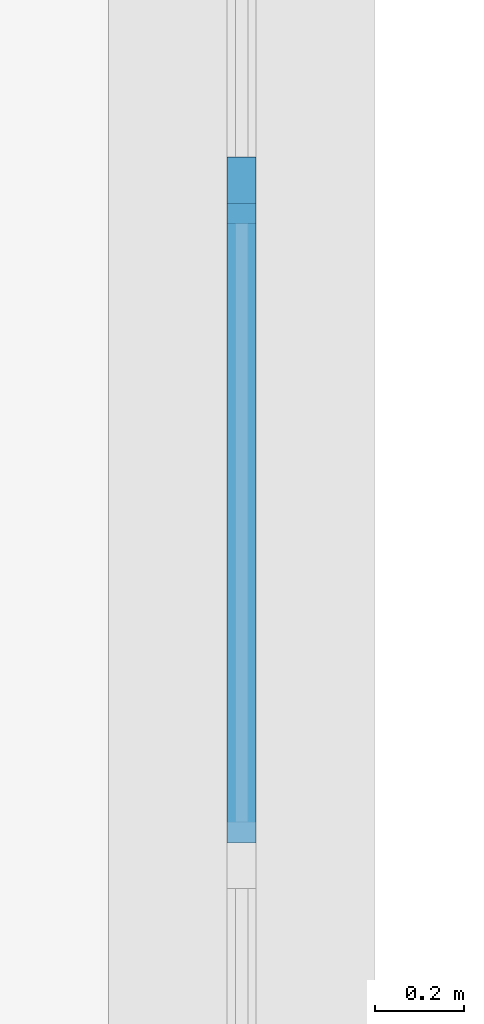
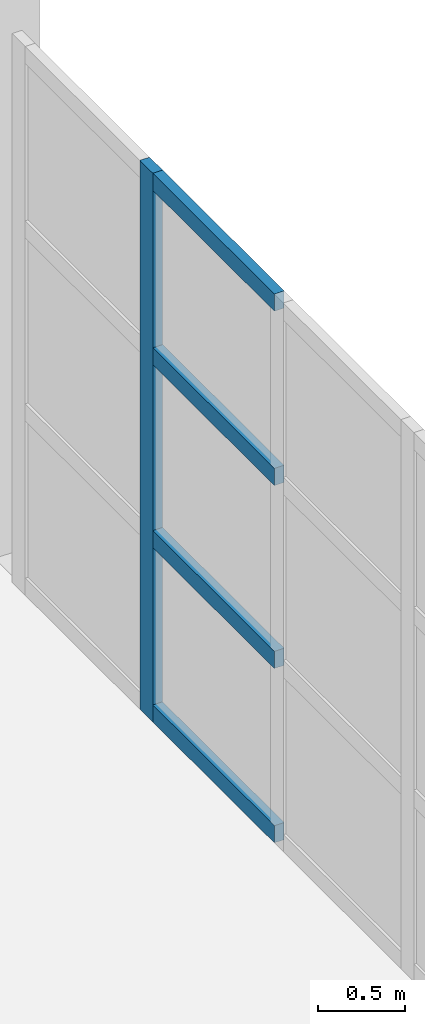
# One storey, part 118 of 285: 5 members, 1 element without a shape of its own.
"""IFC4 building model written with IfcOpenShell, lengths in metres."""

from ifc_helpers import new_model, si_unit, direction, frame, origin, origin_2d, place, context, subcontext, project, spatial, rectangle, extrude, material, material_profile, profile_set, type_object, element, aggregate, save


model = new_model("IFC4")

# Units and contexts
model_context = context("Model", 3, precision=1e-05, world=origin(), true_north=direction((0.0, 1.0)))
body_context = subcontext(model_context, "Body", "Model", "MODEL_VIEW")
ifc_project = project(units=[si_unit("LENGTHUNIT", "METRE"), si_unit("AREAUNIT", "SQUARE_METRE"), si_unit("VOLUMEUNIT", "CUBIC_METRE"), si_unit("PLANEANGLEUNIT", "RADIAN"), si_unit("MASSUNIT", "GRAM", prefix="KILO")], contexts=[model_context])

# Site, building, storey
site_placement = place(None, origin())
site = spatial("IfcSite", under=ifc_project, at=site_placement, CompositionType="ELEMENT")
building_placement = place(site_placement, origin())
building = spatial("IfcBuilding", under=site, at=building_placement, Name="Solanera Park Tramway Depot", CompositionType="ELEMENT")
storey_placement = place(building_placement, origin())
storey = spatial("IfcBuildingStorey", under=building, at=storey_placement, Name="L00", CompositionType="ELEMENT", Elevation=0.0)

# Curtain wall, members
ifc_material_1 = material(Name="Bronze-anodised thermally broken aluminium curtain wall", Category="aluminium")
curtain_wall_type = type_object("IfcCurtainWallType", Name="Parkfront Loggia Curtain Wall", PredefinedType="NOTDEFINED", material=ifc_material_1)
curtain_wall_placement = place(storey_placement, origin())
curtain_wall = element("IfcCurtainWall", 1, at=curtain_wall_placement, inside=storey, type_object=curtain_wall_type, Name="L00 Parkfront Loggia Curtain Wall #132", PredefinedType="NOTDEFINED")
ifc_material_2 = material(Name="Bronze-anodised structural aluminium 6063-T6", Category="aluminium")
ifc_material_profile_1 = material_profile(ifc_material_2, rectangle(XDim=0.06494140625, YDim=0.14990234375, at=origin_2d()), Name="Curtain Wall Mullion 65x150")
ifc_profile_set_1 = profile_set([ifc_material_profile_1], Name="Bronze-anodised structural aluminium 6063-T6")
member_type_1 = type_object("IfcMemberType", Name="Curtain Wall Mullion 65x150", PredefinedType="MULLION", material=ifc_profile_set_1)
member_1_placement = place(storey_placement, frame((216.0, 62.60009765625, 0.0), z_axis=(0.0, 0.0, 1.0), x_axis=(1.0, 0.0, 0.0)))
member_1 = element("IfcMember", 2, at=member_1_placement, type_object=member_type_1, Name="CW-L00-132 Mullion 4", PredefinedType="MULLION", context=body_context, shape_type="SweptSolid", body=[
    extrude(rectangle(XDim=0.06494140625, YDim=0.14990234375, at=origin_2d()), origin(), (0.0, 0.0, 1.0), 3.85009765625),
])
ifc_material_3 = material(Name="Bronze-anodised structural aluminium 6063-T6", Category="aluminium")
ifc_material_profile_2 = material_profile(ifc_material_3, rectangle(XDim=0.06494140625, YDim=0.1201171875, at=origin_2d()), Name="Curtain Wall Transom 65x120")
ifc_profile_set_2 = profile_set([ifc_material_profile_2], Name="Bronze-anodised structural aluminium 6063-T6")
member_type_2 = type_object("IfcMemberType", Name="Curtain Wall Transom 65x120", PredefinedType="USERDEFINED", material=ifc_profile_set_2)
member_2_placement = place(storey_placement, frame((216.0, 61.1279296875, 0.06005859375), z_axis=(0.0, 1.0, 0.0), x_axis=(-1.0, 0.0, 0.0)))
member_2 = element("IfcMember", 3, at=member_2_placement, type_object=member_type_2, Name="CW-L00-132 Transom R1.C3", ObjectType="TRANSOM", PredefinedType="USERDEFINED", context=body_context, shape_type="SweptSolid", body=[
    extrude(rectangle(XDim=0.06494140625, YDim=0.1201171875, at=origin_2d()), origin(), (0.0, 0.0, 1.0), 1.444091796875),
])
member_3_placement = place(storey_placement, frame((216.0, 61.1279296875, 1.283203125), z_axis=(0.0, 1.0, 0.0), x_axis=(-1.0, 0.0, 0.0)))
member_3 = element("IfcMember", 4, at=member_3_placement, type_object=member_type_2, Name="CW-L00-132 Transom R2.C3", ObjectType="TRANSOM", PredefinedType="USERDEFINED", context=body_context, shape_type="SweptSolid", body=[
    extrude(rectangle(XDim=0.06494140625, YDim=0.1201171875, at=origin_2d()), origin(), (0.0, 0.0, 1.0), 1.444091796875),
])
member_4_placement = place(storey_placement, frame((216.0, 61.1279296875, 2.566650390625), z_axis=(0.0, 1.0, 0.0), x_axis=(-1.0, 0.0, 0.0)))
member_4 = element("IfcMember", 5, at=member_4_placement, type_object=member_type_2, Name="CW-L00-132 Transom R3.C3", ObjectType="TRANSOM", PredefinedType="USERDEFINED", context=body_context, shape_type="SweptSolid", body=[
    extrude(rectangle(XDim=0.06494140625, YDim=0.1201171875, at=origin_2d()), origin(), (0.0, 0.0, 1.0), 1.444091796875),
])
member_5_placement = place(storey_placement, frame((216.0, 61.1279296875, 3.7900390625), z_axis=(0.0, 1.0, 0.0), x_axis=(-1.0, 0.0, 0.0)))
member_5 = element("IfcMember", 6, at=member_5_placement, type_object=member_type_2, Name="CW-L00-132 Transom R4.C3", ObjectType="TRANSOM", PredefinedType="USERDEFINED", context=body_context, shape_type="SweptSolid", body=[
    extrude(rectangle(XDim=0.06494140625, YDim=0.1201171875, at=origin_2d()), origin(), (0.0, 0.0, 1.0), 1.444091796875),
])
aggregate(curtain_wall, [member_1, member_2, member_3, member_4, member_5])

save(model, "model.ifc")
